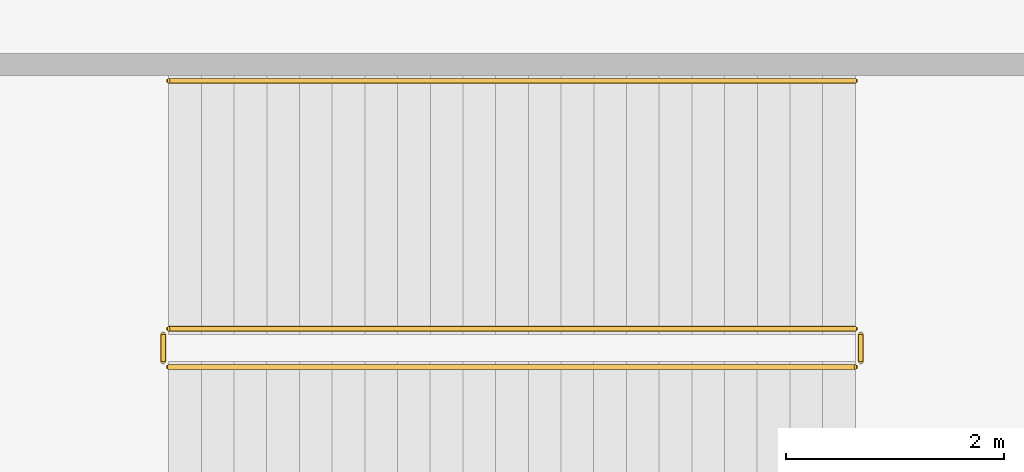
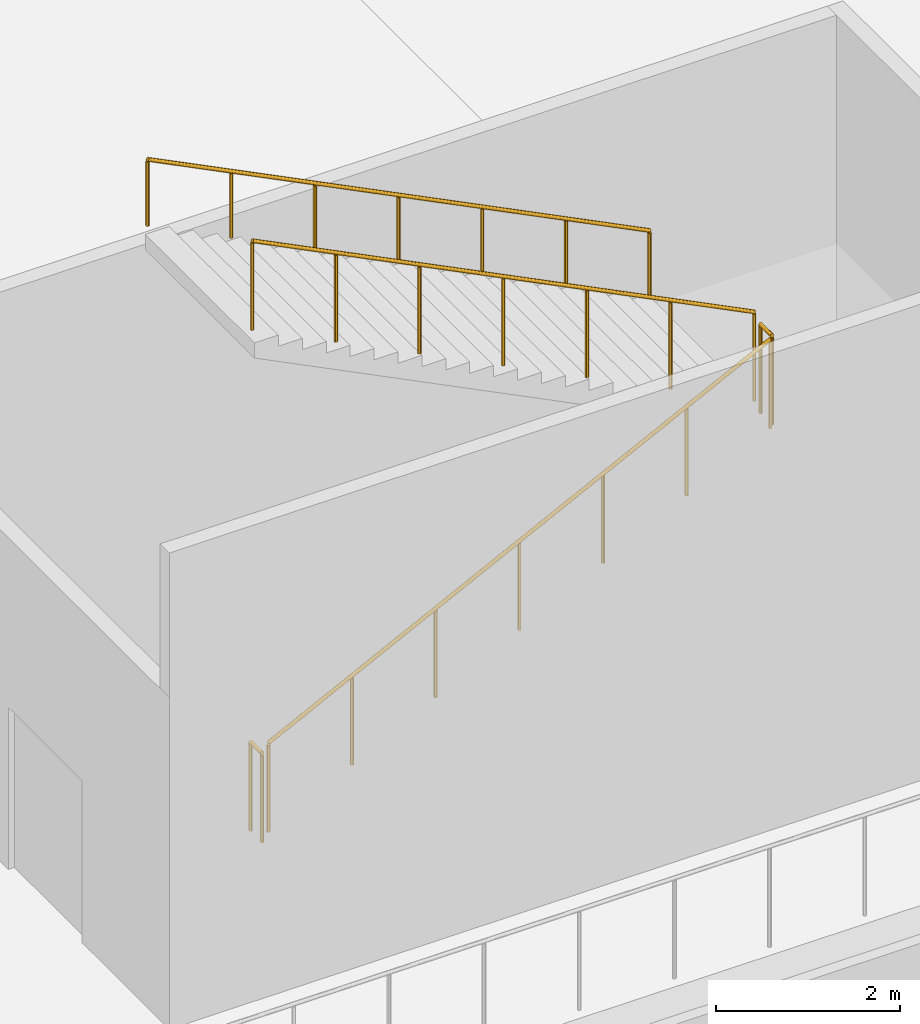
# One storey, part 49 of 65: 5 railings.
"""IFC4 building model written with IfcOpenShell, lengths in metres."""

from ifc_helpers import new_model, si_unit, direction, frame, origin, origin_2d, place, context, subcontext, project, spatial, circle, extrude, material, type_object, element, save


model = new_model("IFC4")

# Units and contexts
model_context = context("Model", 3, precision=1e-05, world=origin(), true_north=direction((0.0, 1.0)))
body_context = subcontext(model_context, "Body", "Model", "MODEL_VIEW")
ifc_project = project(units=[si_unit("LENGTHUNIT", "METRE"), si_unit("AREAUNIT", "SQUARE_METRE"), si_unit("VOLUMEUNIT", "CUBIC_METRE"), si_unit("PLANEANGLEUNIT", "RADIAN"), si_unit("MASSUNIT", "GRAM", prefix="KILO")], contexts=[model_context])

# Site, building, storey
site_placement = place(None, origin())
site = spatial("IfcSite", under=ifc_project, at=site_placement, CompositionType="ELEMENT")
building_placement = place(site_placement, origin())
building = spatial("IfcBuilding", under=site, at=building_placement, Name="Chuanluo Vaults Station", CompositionType="ELEMENT")
storey_placement = place(building_placement, origin())
storey = spatial("IfcBuildingStorey", under=building, at=storey_placement, Name="L00", CompositionType="ELEMENT", Elevation=0.0)

# Railings
ifc_material_1 = material(Name="Tempered laminated balustrade glass", Category="glass")
railing_type_1 = type_object("IfcRailingType", Name="RLG-GUARD-1200", PredefinedType="BALUSTRADE", material=ifc_material_1)
railing_1_placement = place(storey_placement, frame((62.25, 71.074951171875, 0.14990234375)))
element("IfcRailing", 1, at=railing_1_placement, inside=storey, type_object=railing_type_1, Name="L00 ST-11 stair guard 1", PredefinedType="BALUSTRADE", context=body_context, shape_type="SweptSolid", body=[
    extrude(circle(Radius=0.02392578125, at=origin_2d()), frame((0.0, 0.0, 1.17578125), z_axis=(0.894420258746, 0.0, 0.44722745974), x_axis=(0.0, 1.0, 0.0)), (0.0, 0.0, 1.0), 7.043701171875),
    extrude(circle(Radius=0.02099609375, at=origin_2d()), origin(), (0.0, 0.0, 1.0), 1.15185546875),
    extrude(circle(Radius=0.02099609375, at=origin_2d()), frame((1.050048828125, 0.0, 0.52490234375)), (0.0, 0.0, 1.0), 1.15185546875),
    extrude(circle(Radius=0.02099609375, at=origin_2d()), frame((2.10009765625, 0.0, 1.050048828125)), (0.0, 0.0, 1.0), 1.15185546875),
    extrude(circle(Radius=0.02099609375, at=origin_2d()), frame((3.14990234375, 0.0, 1.5751953125)), (0.0, 0.0, 1.0), 1.15185546875),
    extrude(circle(Radius=0.02099609375, at=origin_2d()), frame((4.199951171875, 0.0, 2.10009765625)), (0.0, 0.0, 1.0), 1.15185546875),
    extrude(circle(Radius=0.02099609375, at=origin_2d()), frame((5.25, 0.0, 2.625)), (0.0, 0.0, 1.0), 1.15185546875),
    extrude(circle(Radius=0.02099609375, at=origin_2d()), frame((6.300048828125, 0.0, 3.150146484375)), (0.0, 0.0, 1.0), 1.15185546875),
])
railing_2_placement = place(storey_placement, frame((68.60009765625, 71.125, 3.300048828125)))
element("IfcRailing", 2, at=railing_2_placement, inside=storey, type_object=railing_type_1, Name="L00 ST-11 stair guard 2", PredefinedType="BALUSTRADE", context=body_context, shape_type="SweptSolid", body=[
    extrude(circle(Radius=0.02392578125, at=origin_2d()), frame((0.0, 0.0, 1.17578125), z_axis=(0.0, 1.0, 0.0), x_axis=(-1.0, 0.0, 0.0)), (0.0, 0.0, 1.0), 0.25),
    extrude(circle(Radius=0.02099609375, at=origin_2d()), origin(), (0.0, 0.0, 1.0), 1.15185546875),
    extrude(circle(Radius=0.02099609375, at=origin_2d()), frame((0.0, 0.25, 0.0)), (0.0, 0.0, 1.0), 1.15185546875),
])
railing_3_placement = place(storey_placement, frame((68.550048828125, 71.425048828125, 3.449951171875)))
element("IfcRailing", 3, at=railing_3_placement, inside=storey, type_object=railing_type_1, Name="L00 ST-11 stair guard 3", PredefinedType="BALUSTRADE", context=body_context, shape_type="SweptSolid", body=[
    extrude(circle(Radius=0.02392578125, at=origin_2d()), frame((0.0, 0.0, 1.17578125), z_axis=(-0.894420258746, 0.0, 0.44722745974), x_axis=(0.0, -1.0, 0.0)), (0.0, 0.0, 1.0), 7.043701171875),
    extrude(circle(Radius=0.02099609375, at=origin_2d()), origin(), (0.0, 0.0, 1.0), 1.15185546875),
    extrude(circle(Radius=0.02099609375, at=origin_2d()), frame((-1.050048828125, 0.0, 0.52490234375)), (0.0, 0.0, 1.0), 1.15185546875),
    extrude(circle(Radius=0.02099609375, at=origin_2d()), frame((-2.10009765625, 0.0, 1.050048828125)), (0.0, 0.0, 1.0), 1.15185546875),
    extrude(circle(Radius=0.02099609375, at=origin_2d()), frame((-3.14990234375, 0.0, 1.5751953125)), (0.0, 0.0, 1.0), 1.15185546875),
    extrude(circle(Radius=0.02099609375, at=origin_2d()), frame((-4.199951171875, 0.0, 2.10009765625)), (0.0, 0.0, 1.0), 1.15185546875),
    extrude(circle(Radius=0.02099609375, at=origin_2d()), frame((-5.25, 0.0, 2.625)), (0.0, 0.0, 1.0), 1.15185546875),
    extrude(circle(Radius=0.02099609375, at=origin_2d()), frame((-6.300048828125, 0.0, 3.150146484375)), (0.0, 0.0, 1.0), 1.15185546875),
])
railing_4_placement = place(storey_placement, frame((62.199951171875, 71.125, 0.0)))
element("IfcRailing", 4, at=railing_4_placement, inside=storey, type_object=railing_type_1, Name="L00 ST-11 stair guard 4", PredefinedType="BALUSTRADE", context=body_context, shape_type="SweptSolid", body=[
    extrude(circle(Radius=0.02392578125, at=origin_2d()), frame((0.0, 0.0, 1.17578125), z_axis=(0.0, 1.0, 0.0), x_axis=(-1.0, 0.0, 0.0)), (0.0, 0.0, 1.0), 0.25),
    extrude(circle(Radius=0.02099609375, at=origin_2d()), origin(), (0.0, 0.0, 1.0), 1.15185546875),
    extrude(circle(Radius=0.02099609375, at=origin_2d()), frame((0.0, 0.25, 0.0)), (0.0, 0.0, 1.0), 1.15185546875),
])
ifc_material_2 = material(Name="Brushed stainless steel 304", Category="steel")
railing_type_2 = type_object("IfcRailingType", Name="RLG-HAND-900", PredefinedType="HANDRAIL", material=ifc_material_2)
railing_5_placement = place(storey_placement, frame((68.550048828125, 73.699951171875, 3.449951171875)))
element("IfcRailing", 5, at=railing_5_placement, inside=storey, type_object=railing_type_2, Name="L00 ST-11 stair handrail 2", PredefinedType="HANDRAIL", context=body_context, shape_type="SweptSolid", body=[
    extrude(circle(Radius=0.02392578125, at=origin_2d()), frame((0.0, 0.0, 0.8759765625), z_axis=(-0.894420258746, 0.0, 0.44722745974), x_axis=(0.0, -1.0, 0.0)), (0.0, 0.0, 1.0), 7.043701171875),
    extrude(circle(Radius=0.02099609375, at=origin_2d()), origin(), (0.0, 0.0, 1.0), 0.851806640625),
    extrude(circle(Radius=0.02099609375, at=origin_2d()), frame((-1.050048828125, 0.0, 0.52490234375)), (0.0, 0.0, 1.0), 0.851806640625),
    extrude(circle(Radius=0.02099609375, at=origin_2d()), frame((-2.10009765625, 0.0, 1.050048828125)), (0.0, 0.0, 1.0), 0.851806640625),
    extrude(circle(Radius=0.02099609375, at=origin_2d()), frame((-3.14990234375, 0.0, 1.5751953125)), (0.0, 0.0, 1.0), 0.851806640625),
    extrude(circle(Radius=0.02099609375, at=origin_2d()), frame((-4.199951171875, 0.0, 2.10009765625)), (0.0, 0.0, 1.0), 0.851806640625),
    extrude(circle(Radius=0.02099609375, at=origin_2d()), frame((-5.25, 0.0, 2.625)), (0.0, 0.0, 1.0), 0.851806640625),
    extrude(circle(Radius=0.02099609375, at=origin_2d()), frame((-6.300048828125, 0.0, 3.150146484375)), (0.0, 0.0, 1.0), 0.851806640625),
])

save(model, "model.ifc")
